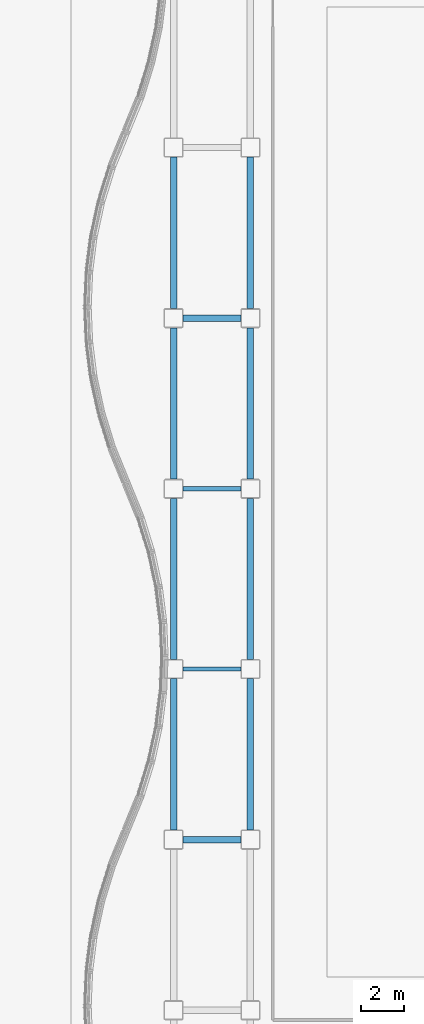
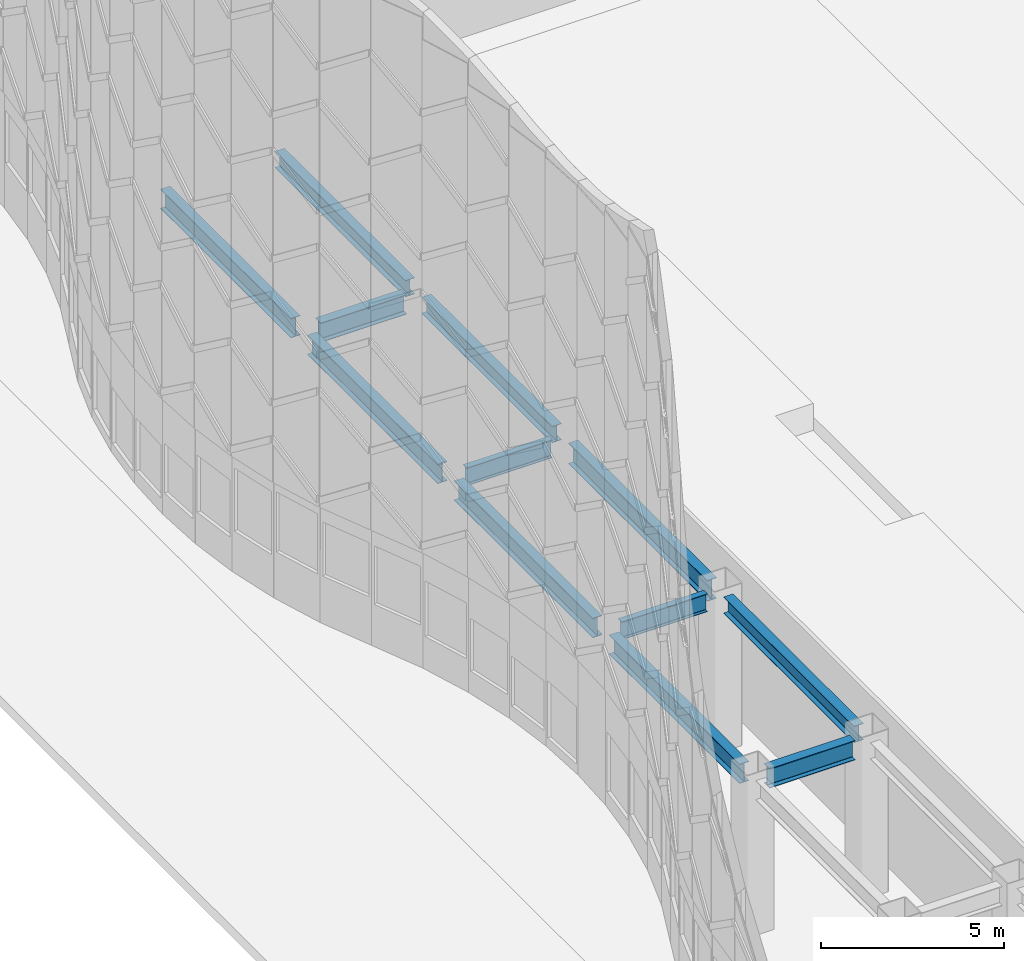
# One storey, part 61 of 165: 12 beams.
"""IFC4 building model written with IfcOpenShell, lengths in metres."""

from ifc_helpers import new_model, si_unit, direction, frame, origin, origin_2d, place, context, subcontext, project, spatial, i_section, extrude, material, material_profile, profile_set, type_object, element, save


model = new_model("IFC4")

# Units and contexts
model_context = context("Model", 3, precision=1e-05, world=origin(), true_north=direction((0.0, 1.0)))
body_context = subcontext(model_context, "Body", "Model", "MODEL_VIEW")
ifc_project = project(units=[si_unit("LENGTHUNIT", "METRE"), si_unit("AREAUNIT", "SQUARE_METRE"), si_unit("VOLUMEUNIT", "CUBIC_METRE"), si_unit("PLANEANGLEUNIT", "RADIAN"), si_unit("MASSUNIT", "GRAM", prefix="KILO")], contexts=[model_context])

# Site, building, storey
site_placement = place(None, origin())
site = spatial("IfcSite", under=ifc_project, at=site_placement, CompositionType="ELEMENT")
building_placement = place(site_placement, origin())
building = spatial("IfcBuilding", under=site, at=building_placement, Name="Kazehara Bluff Congress Hotel", CompositionType="ELEMENT")
storey_placement = place(building_placement, origin())
storey = spatial("IfcBuildingStorey", under=building, at=storey_placement, Name="L00", CompositionType="ELEMENT", Elevation=0.0)

# Beams
ifc_material_1 = material(Name="Steel SN490B", Category="steel")
ifc_material_profile_1 = material_profile(ifc_material_1, i_section(OverallWidth=0.300048828125, OverallDepth=0.64990234375, WebThickness=0.011962890625, FlangeThickness=0.02001953125, FilletRadius=0.012939453125, at=origin_2d()))
ifc_profile_set_1 = profile_set([ifc_material_profile_1], Name="Steel SN490B")
beam_type_1 = type_object("IfcBeamType", Name="TP-G-03", PredefinedType="BEAM", material=ifc_profile_set_1)
beam_1_placement = place(storey_placement, frame((4.800048828125, 64.89990234375, 4.824951171875), z_axis=(0.0, 1.0, 0.0), x_axis=(-1.0, 0.0, 0.0)))
element("IfcBeam", 1, at=beam_1_placement, inside=storey, type_object=beam_type_1, Name="L00 girder G-03 3", PredefinedType="BEAM", context=body_context, shape_type="SweptSolid", body=[
    extrude(i_section(OverallWidth=0.300048828125, OverallDepth=0.64990234375, WebThickness=0.011962890625, FlangeThickness=0.02001953125, FilletRadius=0.012939453125, at=origin_2d()), origin(), (0.0, 0.0, 1.0), 7.10009765625),
])
beam_2_placement = place(storey_placement, frame((4.800048828125, 72.89990234375, 4.824951171875), z_axis=(0.0, 1.0, 0.0), x_axis=(-1.0, 0.0, 0.0)))
element("IfcBeam", 2, at=beam_2_placement, inside=storey, type_object=beam_type_1, Name="L00 girder G-03 4", PredefinedType="BEAM", context=body_context, shape_type="SweptSolid", body=[
    extrude(i_section(OverallWidth=0.300048828125, OverallDepth=0.64990234375, WebThickness=0.011962890625, FlangeThickness=0.02001953125, FilletRadius=0.012939453125, at=origin_2d()), origin(), (0.0, 0.0, 1.0), 7.550048828125),
])
for number, where, z_axis, x_axis, name in (
    (3, (4.800048828125, 81.35009765625, 4.824951171875), (0.0, 1.0, 0.0), (-1.0, 0.0, 0.0), "L00 girder G-03 5"),
    (4, (4.800048828125, 89.35009765625, 4.824951171875), (0.0, 1.0, 0.0), (-1.0, 0.0, 0.0), "L00 girder G-03 6"),
):
    element("IfcBeam", number, at=place(storey_placement, frame(where, z_axis=z_axis, x_axis=x_axis)), inside=storey, type_object=beam_type_1, Name=name, PredefinedType="BEAM", context=body_context, shape_type="SweptSolid", body=[
        extrude(i_section(OverallWidth=0.300048828125, OverallDepth=0.64990234375, WebThickness=0.011962890625, FlangeThickness=0.02001953125, FilletRadius=0.012939453125, at=origin_2d()), origin(), (0.0, 0.0, 1.0), 7.099853515625),
    ])
for number, where, z_axis, x_axis, name in (
    (5, (5.25, 64.449951171875, 4.824951171875), (1.0, 0.0, 0.0), (0.0, 1.0, 0.0), "L00 girder G-03 32"),
    (6, (5.25, 88.89990234375, 4.824951171875), (1.0, 0.0, 0.0), (0.0, 1.0, 0.0), "L00 girder G-03 35"),
):
    element("IfcBeam", number, at=place(storey_placement, frame(where, z_axis=z_axis, x_axis=x_axis)), inside=storey, type_object=beam_type_1, Name=name, PredefinedType="BEAM", context=body_context, shape_type="SweptSolid", body=[
        extrude(i_section(OverallWidth=0.300048828125, OverallDepth=0.64990234375, WebThickness=0.011962890625, FlangeThickness=0.02001953125, FilletRadius=0.012939453125, at=origin_2d()), origin(), (0.0, 0.0, 1.0), 2.699951171875),
    ])
ifc_material_2 = material(Name="Steel SN490B", Category="steel")
ifc_material_profile_2 = material_profile(ifc_material_2, i_section(OverallWidth=0.300048828125, OverallDepth=0.550048828125, WebThickness=0.010986328125, FlangeThickness=0.01806640625, FilletRadius=0.012939453125, at=origin_2d()))
ifc_profile_set_2 = profile_set([ifc_material_profile_2], Name="Steel SN490B")
beam_type_2 = type_object("IfcBeamType", Name="TP-SP-01", PredefinedType="SPANDREL", material=ifc_profile_set_2)
beam_3_placement = place(storey_placement, frame((8.39990234375, 64.89990234375, 4.875), z_axis=(0.0, 1.0, 0.0), x_axis=(-1.0, 0.0, 0.0)))
element("IfcBeam", 7, at=beam_3_placement, inside=storey, type_object=beam_type_2, Name="L00 girder SP-01 11", PredefinedType="SPANDREL", context=body_context, shape_type="SweptSolid", body=[
    extrude(i_section(OverallWidth=0.300048828125, OverallDepth=0.550048828125, WebThickness=0.010986328125, FlangeThickness=0.01806640625, FilletRadius=0.012939453125, at=origin_2d()), origin(), (0.0, 0.0, 1.0), 7.10009765625),
])
for number, where, z_axis, x_axis, name in (
    (8, (8.39990234375, 81.35009765625, 4.875), (0.0, 1.0, 0.0), (-1.0, 0.0, 0.0), "L00 girder SP-01 13"),
    (9, (8.39990234375, 89.35009765625, 4.875), (0.0, 1.0, 0.0), (-1.0, 0.0, 0.0), "L00 girder SP-01 14"),
):
    element("IfcBeam", number, at=place(storey_placement, frame(where, z_axis=z_axis, x_axis=x_axis)), inside=storey, type_object=beam_type_2, Name=name, PredefinedType="SPANDREL", context=body_context, shape_type="SweptSolid", body=[
        extrude(i_section(OverallWidth=0.300048828125, OverallDepth=0.550048828125, WebThickness=0.010986328125, FlangeThickness=0.01806640625, FilletRadius=0.012939453125, at=origin_2d()), origin(), (0.0, 0.0, 1.0), 7.099853515625),
    ])
ifc_material_3 = material(Name="Steel SN490B", Category="steel")
ifc_material_profile_3 = material_profile(ifc_material_3, i_section(OverallWidth=0.199951171875, OverallDepth=0.60009765625, WebThickness=0.010986328125, FlangeThickness=0.01708984375, FilletRadius=0.012939453125, at=origin_2d()))
ifc_profile_set_3 = profile_set([ifc_material_profile_3], Name="Steel SN490B")
beam_type_3 = type_object("IfcBeamType", Name="TP-SP-02", PredefinedType="SPANDREL", material=ifc_profile_set_3)
for number, where, z_axis, x_axis, name in (
    (10, (5.25, 72.449951171875, 4.85009765625), (1.0, 0.0, 0.0), (0.0, 1.0, 0.0), "L00 girder SP-02 33"),
    (11, (5.25, 80.89990234375, 4.85009765625), (1.0, 0.0, 0.0), (0.0, 1.0, 0.0), "L00 girder SP-02 34"),
):
    element("IfcBeam", number, at=place(storey_placement, frame(where, z_axis=z_axis, x_axis=x_axis)), inside=storey, type_object=beam_type_3, Name=name, PredefinedType="SPANDREL", context=body_context, shape_type="SweptSolid", body=[
        extrude(i_section(OverallWidth=0.199951171875, OverallDepth=0.60009765625, WebThickness=0.010986328125, FlangeThickness=0.01708984375, FilletRadius=0.012939453125, at=origin_2d()), origin(), (0.0, 0.0, 1.0), 2.699951171875),
    ])
ifc_material_4 = material(Name="Steel SN490B", Category="steel")
ifc_material_profile_4 = material_profile(ifc_material_4, i_section(OverallWidth=0.300048828125, OverallDepth=0.699951171875, WebThickness=0.012939453125, FlangeThickness=0.02392578125, FilletRadius=0.01806640625, at=origin_2d()))
ifc_profile_set_4 = profile_set([ifc_material_profile_4], Name="Steel SN490B")
beam_type_4 = type_object("IfcBeamType", Name="TP-SP-03", PredefinedType="SPANDREL", material=ifc_profile_set_4)
beam_4_placement = place(storey_placement, frame((8.39990234375, 72.89990234375, 4.800048828125), z_axis=(0.0, 1.0, 0.0), x_axis=(-1.0, 0.0, 0.0)))
element("IfcBeam", 12, at=beam_4_placement, inside=storey, type_object=beam_type_4, Name="L00 girder SP-03 12", PredefinedType="SPANDREL", context=body_context, shape_type="SweptSolid", body=[
    extrude(i_section(OverallWidth=0.300048828125, OverallDepth=0.699951171875, WebThickness=0.012939453125, FlangeThickness=0.02392578125, FilletRadius=0.01806640625, at=origin_2d()), origin(), (0.0, 0.0, 1.0), 7.550048828125),
])

save(model, "model.ifc")
